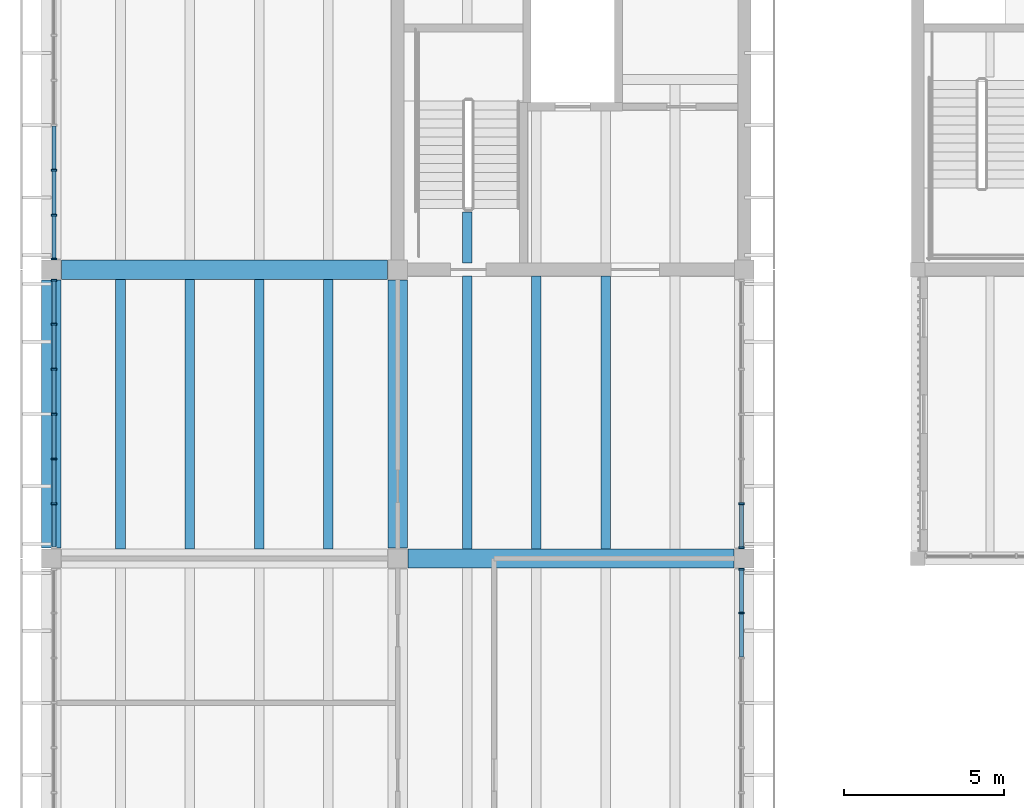
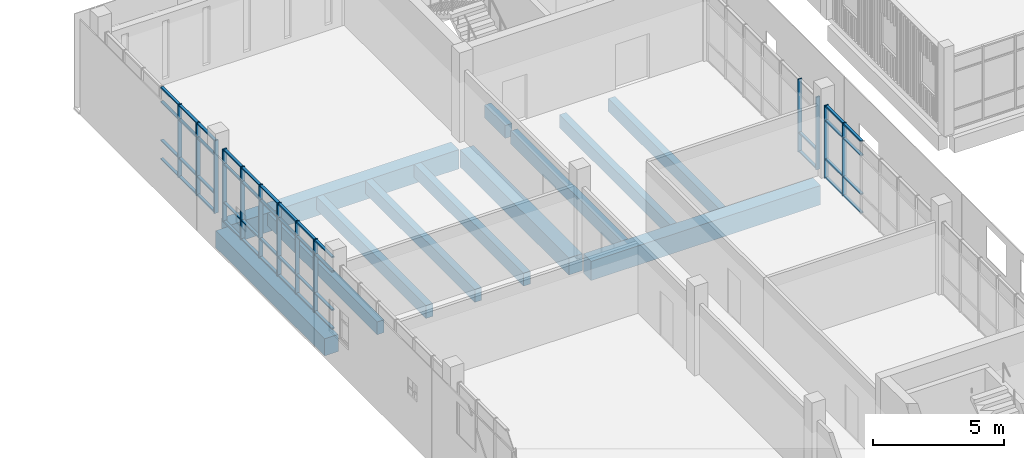
# One storey, part 22 of 88: 59 members, 12 beams, 4 elements without a shape of their own.
"""IFC4 building model written with IfcOpenShell, lengths in metres."""

from ifc_helpers import new_model, si_unit, direction, frame, origin, origin_2d, place, context, subcontext, project, spatial, rectangle, extrude, material, material_profile, profile_set, type_object, element, aggregate, save


model = new_model("IFC4")

# Units and contexts
model_context = context("Model", 3, precision=1e-05, world=origin(), true_north=direction((0.0, 1.0)))
body_context = subcontext(model_context, "Body", "Model", "MODEL_VIEW")
ifc_project = project(units=[si_unit("LENGTHUNIT", "METRE"), si_unit("AREAUNIT", "SQUARE_METRE"), si_unit("VOLUMEUNIT", "CUBIC_METRE"), si_unit("PLANEANGLEUNIT", "RADIAN"), si_unit("MASSUNIT", "GRAM", prefix="KILO")], contexts=[model_context])

# Site, building, storey
site_placement = place(None, origin())
site = spatial("IfcSite", under=ifc_project, at=site_placement, CompositionType="ELEMENT")
building_placement = place(site_placement, origin())
building = spatial("IfcBuilding", under=site, at=building_placement, Name="Merrow Basin Faculty of Sciences", CompositionType="ELEMENT")
storey_placement = place(building_placement, frame((0.0, 0.0, 9.0)))
storey = spatial("IfcBuildingStorey", under=building, at=storey_placement, Name="L02", CompositionType="ELEMENT", Elevation=9.0)

# Curtain wall, members
ifc_material_1 = material(Name="Aluminium alloy 6063", Category="aluminium")
curtain_wall_type = type_object("IfcCurtainWallType", Name="Bar unitised curtain wall 180", PredefinedType="NOTDEFINED", material=ifc_material_1)
curtain_wall_1_placement = place(storey_placement, origin())
curtain_wall_1 = element("IfcCurtainWall", 1, at=curtain_wall_1_placement, inside=storey, type_object=curtain_wall_type, Name="West curtain wall L02 6", PredefinedType="NOTDEFINED")
ifc_material_2 = material(Name="Aluminium alloy 6063", Category="aluminium")
ifc_material_profile_1 = material_profile(ifc_material_2, rectangle(XDim=0.179931640625, YDim=0.06005859375, at=origin_2d()))
ifc_profile_set_1 = profile_set([ifc_material_profile_1], Name="Aluminium alloy 6063")
member_type_1 = type_object("IfcMemberType", Name="Aluminium mullion 60x180", PredefinedType="MULLION", material=ifc_profile_set_1)
member_1_placement = place(storey_placement, frame((0.090087890625, 116.699951171875, 0.0), z_axis=(0.0, 0.0, 1.0), x_axis=(-1.0, 0.0, 0.0)))
member_1 = element("IfcMember", 2, at=member_1_placement, type_object=member_type_1, Name="CW1 mullion 2", PredefinedType="MULLION", context=body_context, shape_type="SweptSolid", body=[
    extrude(rectangle(XDim=0.179931640625, YDim=0.06005859375, at=origin_2d()), origin(), (0.0, 0.0, 1.0), 3.39990234375),
])
member_2_placement = place(storey_placement, frame((0.090087890625, 118.10009765625, 0.0), z_axis=(0.0, 0.0, 1.0), x_axis=(-1.0, 0.0, 0.0)))
member_2 = element("IfcMember", 3, at=member_2_placement, type_object=member_type_1, Name="CW1 mullion 3", PredefinedType="MULLION", context=body_context, shape_type="SweptSolid", body=[
    extrude(rectangle(XDim=0.179931640625, YDim=0.06005859375, at=origin_2d()), origin(), (0.0, 0.0, 1.0), 3.39990234375),
])
member_3_placement = place(storey_placement, frame((0.090087890625, 119.5, 0.0), z_axis=(0.0, 0.0, 1.0), x_axis=(-1.0, 0.0, 0.0)))
member_3 = element("IfcMember", 4, at=member_3_placement, type_object=member_type_1, Name="CW1 mullion 4", PredefinedType="MULLION", context=body_context, shape_type="SweptSolid", body=[
    extrude(rectangle(XDim=0.179931640625, YDim=0.06005859375, at=origin_2d()), origin(), (0.0, 0.0, 1.0), 3.39990234375),
])
member_4_placement = place(storey_placement, frame((0.090087890625, 120.89990234375, 0.0), z_axis=(0.0, 0.0, 1.0), x_axis=(-1.0, 0.0, 0.0)))
member_4 = element("IfcMember", 5, at=member_4_placement, type_object=member_type_1, Name="CW1 mullion 5", PredefinedType="MULLION", context=body_context, shape_type="SweptSolid", body=[
    extrude(rectangle(XDim=0.179931640625, YDim=0.06005859375, at=origin_2d()), origin(), (0.0, 0.0, 1.0), 3.39990234375),
])
member_5_placement = place(storey_placement, frame((0.090087890625, 122.300048828125, 0.0), z_axis=(0.0, 0.0, 1.0), x_axis=(-1.0, 0.0, 0.0)))
member_5 = element("IfcMember", 6, at=member_5_placement, type_object=member_type_1, Name="CW1 mullion 6", PredefinedType="MULLION", context=body_context, shape_type="SweptSolid", body=[
    extrude(rectangle(XDim=0.179931640625, YDim=0.06005859375, at=origin_2d()), origin(), (0.0, 0.0, 1.0), 3.39990234375),
])
member_6_placement = place(storey_placement, frame((0.090087890625, 123.669921875, 0.0), z_axis=(0.0, 0.0, 1.0), x_axis=(-1.0, 0.0, 0.0)))
member_6 = element("IfcMember", 7, at=member_6_placement, type_object=member_type_1, Name="CW1 mullion 7", PredefinedType="MULLION", context=body_context, shape_type="SweptSolid", body=[
    extrude(rectangle(XDim=0.179931640625, YDim=0.06005859375, at=origin_2d()), origin(), (0.0, 0.0, 1.0), 3.39990234375),
])

curtain_wall_2_placement = place(storey_placement, origin())
curtain_wall_2 = element("IfcCurtainWall", 8, at=curtain_wall_2_placement, inside=storey, type_object=curtain_wall_type, Name="West curtain wall L02 7", PredefinedType="NOTDEFINED")
member_7_placement = place(storey_placement, frame((0.090087890625, 124.330078125, 0.0), z_axis=(0.0, 0.0, 1.0), x_axis=(-1.0, 0.0, 0.0)))
member_7 = element("IfcMember", 9, at=member_7_placement, type_object=member_type_1, Name="CW1 mullion 1", PredefinedType="MULLION", context=body_context, shape_type="SweptSolid", body=[
    extrude(rectangle(XDim=0.179931640625, YDim=0.06005859375, at=origin_2d()), origin(), (0.0, 0.0, 1.0), 3.39990234375),
])
member_8_placement = place(storey_placement, frame((0.090087890625, 125.699951171875, 0.0), z_axis=(0.0, 0.0, 1.0), x_axis=(-1.0, 0.0, 0.0)))
member_8 = element("IfcMember", 10, at=member_8_placement, type_object=member_type_1, Name="CW1 mullion 2", PredefinedType="MULLION", context=body_context, shape_type="SweptSolid", body=[
    extrude(rectangle(XDim=0.179931640625, YDim=0.06005859375, at=origin_2d()), origin(), (0.0, 0.0, 1.0), 3.39990234375),
])
member_9_placement = place(storey_placement, frame((0.090087890625, 127.10009765625, 0.0), z_axis=(0.0, 0.0, 1.0), x_axis=(-1.0, 0.0, 0.0)))
member_9 = element("IfcMember", 11, at=member_9_placement, type_object=member_type_1, Name="CW1 mullion 3", PredefinedType="MULLION", context=body_context, shape_type="SweptSolid", body=[
    extrude(rectangle(XDim=0.179931640625, YDim=0.06005859375, at=origin_2d()), origin(), (0.0, 0.0, 1.0), 3.39990234375),
])

curtain_wall_3_placement = place(storey_placement, origin())
curtain_wall_3 = element("IfcCurtainWall", 12, at=curtain_wall_3_placement, inside=storey, type_object=curtain_wall_type, Name="East curtain wall L02 5", PredefinedType="NOTDEFINED")
member_10_placement = place(storey_placement, frame((21.510009765625, 113.300048828125, 0.0), z_axis=(0.0, 0.0, 1.0), x_axis=(-1.0, 0.0, 0.0)))
member_10 = element("IfcMember", 13, at=member_10_placement, type_object=member_type_1, Name="CW1 mullion 6", PredefinedType="MULLION", context=body_context, shape_type="SweptSolid", body=[
    extrude(rectangle(XDim=0.179931640625, YDim=0.06005859375, at=origin_2d()), origin(), (0.0, 0.0, 1.0), 3.39990234375),
])
member_11_placement = place(storey_placement, frame((21.510009765625, 114.669921875, 0.0), z_axis=(0.0, 0.0, 1.0), x_axis=(-1.0, 0.0, 0.0)))
member_11 = element("IfcMember", 14, at=member_11_placement, type_object=member_type_1, Name="CW1 mullion 7", PredefinedType="MULLION", context=body_context, shape_type="SweptSolid", body=[
    extrude(rectangle(XDim=0.179931640625, YDim=0.06005859375, at=origin_2d()), origin(), (0.0, 0.0, 1.0), 3.39990234375),
])

curtain_wall_4_placement = place(storey_placement, origin())
curtain_wall_4 = element("IfcCurtainWall", 15, at=curtain_wall_4_placement, inside=storey, type_object=curtain_wall_type, Name="East curtain wall L02 6", PredefinedType="NOTDEFINED")
member_12_placement = place(storey_placement, frame((21.510009765625, 115.330078125, 0.0), z_axis=(0.0, 0.0, 1.0), x_axis=(-1.0, 0.0, 0.0)))
member_12 = element("IfcMember", 16, at=member_12_placement, type_object=member_type_1, Name="CW1 mullion 1", PredefinedType="MULLION", context=body_context, shape_type="SweptSolid", body=[
    extrude(rectangle(XDim=0.179931640625, YDim=0.06005859375, at=origin_2d()), origin(), (0.0, 0.0, 1.0), 3.39990234375),
])
member_13_placement = place(storey_placement, frame((21.510009765625, 116.699951171875, 0.0), z_axis=(0.0, 0.0, 1.0), x_axis=(-1.0, 0.0, 0.0)))
member_13 = element("IfcMember", 17, at=member_13_placement, type_object=member_type_1, Name="CW1 mullion 2", PredefinedType="MULLION", context=body_context, shape_type="SweptSolid", body=[
    extrude(rectangle(XDim=0.179931640625, YDim=0.06005859375, at=origin_2d()), origin(), (0.0, 0.0, 1.0), 3.39990234375),
])

# Member
ifc_material_3 = material(Name="Aluminium alloy 6063", Category="aluminium")
ifc_material_profile_2 = material_profile(ifc_material_3, rectangle(XDim=0.1201171875, YDim=0.06005859375, at=origin_2d()))
ifc_profile_set_2 = profile_set([ifc_material_profile_2], Name="Aluminium alloy 6063")
member_type_2 = type_object("IfcMemberType", Name="Aluminium transom 60x120", PredefinedType="USERDEFINED", material=ifc_profile_set_2)
member_14_placement = place(storey_placement, frame((0.090087890625, 115.360107421875, 0.030029296875), z_axis=(0.0, 1.0, 0.0), x_axis=(-1.0, 0.0, 0.0)))
member_14 = element("IfcMember", 18, at=member_14_placement, type_object=member_type_2, Name="CW1 transom 1.1", ObjectType="TRANSOM", PredefinedType="USERDEFINED", context=body_context, shape_type="SweptSolid", body=[
    extrude(rectangle(XDim=0.1201171875, YDim=0.06005859375, at=origin_2d()), origin(), (0.0, 0.0, 1.0), 1.309814453125),
])

member_15_placement = place(storey_placement, frame((0.090087890625, 115.360107421875, 0.89990234375), z_axis=(0.0, 1.0, 0.0), x_axis=(-1.0, 0.0, 0.0)))
member_15 = element("IfcMember", 19, at=member_15_placement, type_object=member_type_2, Name="CW1 transom 1.2", ObjectType="TRANSOM", PredefinedType="USERDEFINED", context=body_context, shape_type="SweptSolid", body=[
    extrude(rectangle(XDim=0.1201171875, YDim=0.06005859375, at=origin_2d()), origin(), (0.0, 0.0, 1.0), 1.309814453125),
])

member_16_placement = place(storey_placement, frame((0.090087890625, 115.360107421875, 2.699951171875), z_axis=(0.0, 1.0, 0.0), x_axis=(-1.0, 0.0, 0.0)))
member_16 = element("IfcMember", 20, at=member_16_placement, type_object=member_type_2, Name="CW1 transom 1.3", ObjectType="TRANSOM", PredefinedType="USERDEFINED", context=body_context, shape_type="SweptSolid", body=[
    extrude(rectangle(XDim=0.1201171875, YDim=0.06005859375, at=origin_2d()), origin(), (0.0, 0.0, 1.0), 1.309814453125),
])

member_17_placement = place(storey_placement, frame((0.090087890625, 115.360107421875, 3.3701171875), z_axis=(0.0, 1.0, 0.0), x_axis=(-1.0, 0.0, 0.0)))
member_17 = element("IfcMember", 21, at=member_17_placement, type_object=member_type_2, Name="CW1 transom 1.4", ObjectType="TRANSOM", PredefinedType="USERDEFINED", context=body_context, shape_type="SweptSolid", body=[
    extrude(rectangle(XDim=0.1201171875, YDim=0.06005859375, at=origin_2d()), origin(), (0.0, 0.0, 1.0), 1.309814453125),
])

member_18_placement = place(storey_placement, frame((0.090087890625, 116.72998046875, 0.030029296875), z_axis=(0.0, 1.0, 0.0), x_axis=(-1.0, 0.0, 0.0)))
member_18 = element("IfcMember", 22, at=member_18_placement, type_object=member_type_2, Name="CW1 transom 2.1", ObjectType="TRANSOM", PredefinedType="USERDEFINED", context=body_context, shape_type="SweptSolid", body=[
    extrude(rectangle(XDim=0.1201171875, YDim=0.06005859375, at=origin_2d()), origin(), (0.0, 0.0, 1.0), 1.340087890625),
])

member_19_placement = place(storey_placement, frame((0.090087890625, 116.72998046875, 0.89990234375), z_axis=(0.0, 1.0, 0.0), x_axis=(-1.0, 0.0, 0.0)))
member_19 = element("IfcMember", 23, at=member_19_placement, type_object=member_type_2, Name="CW1 transom 2.2", ObjectType="TRANSOM", PredefinedType="USERDEFINED", context=body_context, shape_type="SweptSolid", body=[
    extrude(rectangle(XDim=0.1201171875, YDim=0.06005859375, at=origin_2d()), origin(), (0.0, 0.0, 1.0), 1.340087890625),
])

member_20_placement = place(storey_placement, frame((0.090087890625, 116.72998046875, 2.699951171875), z_axis=(0.0, 1.0, 0.0), x_axis=(-1.0, 0.0, 0.0)))
member_20 = element("IfcMember", 24, at=member_20_placement, type_object=member_type_2, Name="CW1 transom 2.3", ObjectType="TRANSOM", PredefinedType="USERDEFINED", context=body_context, shape_type="SweptSolid", body=[
    extrude(rectangle(XDim=0.1201171875, YDim=0.06005859375, at=origin_2d()), origin(), (0.0, 0.0, 1.0), 1.340087890625),
])

member_21_placement = place(storey_placement, frame((0.090087890625, 116.72998046875, 3.3701171875), z_axis=(0.0, 1.0, 0.0), x_axis=(-1.0, 0.0, 0.0)))
member_21 = element("IfcMember", 25, at=member_21_placement, type_object=member_type_2, Name="CW1 transom 2.4", ObjectType="TRANSOM", PredefinedType="USERDEFINED", context=body_context, shape_type="SweptSolid", body=[
    extrude(rectangle(XDim=0.1201171875, YDim=0.06005859375, at=origin_2d()), origin(), (0.0, 0.0, 1.0), 1.340087890625),
])

member_22_placement = place(storey_placement, frame((0.090087890625, 118.1298828125, 0.030029296875), z_axis=(0.0, 1.0, 0.0), x_axis=(-1.0, 0.0, 0.0)))
member_22 = element("IfcMember", 26, at=member_22_placement, type_object=member_type_2, Name="CW1 transom 3.1", ObjectType="TRANSOM", PredefinedType="USERDEFINED", context=body_context, shape_type="SweptSolid", body=[
    extrude(rectangle(XDim=0.1201171875, YDim=0.06005859375, at=origin_2d()), origin(), (0.0, 0.0, 1.0), 1.340087890625),
])

member_23_placement = place(storey_placement, frame((0.090087890625, 118.1298828125, 0.89990234375), z_axis=(0.0, 1.0, 0.0), x_axis=(-1.0, 0.0, 0.0)))
member_23 = element("IfcMember", 27, at=member_23_placement, type_object=member_type_2, Name="CW1 transom 3.2", ObjectType="TRANSOM", PredefinedType="USERDEFINED", context=body_context, shape_type="SweptSolid", body=[
    extrude(rectangle(XDim=0.1201171875, YDim=0.06005859375, at=origin_2d()), origin(), (0.0, 0.0, 1.0), 1.340087890625),
])

member_24_placement = place(storey_placement, frame((0.090087890625, 118.1298828125, 2.699951171875), z_axis=(0.0, 1.0, 0.0), x_axis=(-1.0, 0.0, 0.0)))
member_24 = element("IfcMember", 28, at=member_24_placement, type_object=member_type_2, Name="CW1 transom 3.3", ObjectType="TRANSOM", PredefinedType="USERDEFINED", context=body_context, shape_type="SweptSolid", body=[
    extrude(rectangle(XDim=0.1201171875, YDim=0.06005859375, at=origin_2d()), origin(), (0.0, 0.0, 1.0), 1.340087890625),
])

member_25_placement = place(storey_placement, frame((0.090087890625, 118.1298828125, 3.3701171875), z_axis=(0.0, 1.0, 0.0), x_axis=(-1.0, 0.0, 0.0)))
member_25 = element("IfcMember", 29, at=member_25_placement, type_object=member_type_2, Name="CW1 transom 3.4", ObjectType="TRANSOM", PredefinedType="USERDEFINED", context=body_context, shape_type="SweptSolid", body=[
    extrude(rectangle(XDim=0.1201171875, YDim=0.06005859375, at=origin_2d()), origin(), (0.0, 0.0, 1.0), 1.340087890625),
])

member_26_placement = place(storey_placement, frame((0.090087890625, 119.530029296875, 0.030029296875), z_axis=(0.0, 1.0, 0.0), x_axis=(-1.0, 0.0, 0.0)))
member_26 = element("IfcMember", 30, at=member_26_placement, type_object=member_type_2, Name="CW1 transom 4.1", ObjectType="TRANSOM", PredefinedType="USERDEFINED", context=body_context, shape_type="SweptSolid", body=[
    extrude(rectangle(XDim=0.1201171875, YDim=0.06005859375, at=origin_2d()), origin(), (0.0, 0.0, 1.0), 1.340087890625),
])

member_27_placement = place(storey_placement, frame((0.090087890625, 119.530029296875, 0.89990234375), z_axis=(0.0, 1.0, 0.0), x_axis=(-1.0, 0.0, 0.0)))
member_27 = element("IfcMember", 31, at=member_27_placement, type_object=member_type_2, Name="CW1 transom 4.2", ObjectType="TRANSOM", PredefinedType="USERDEFINED", context=body_context, shape_type="SweptSolid", body=[
    extrude(rectangle(XDim=0.1201171875, YDim=0.06005859375, at=origin_2d()), origin(), (0.0, 0.0, 1.0), 1.340087890625),
])

member_28_placement = place(storey_placement, frame((0.090087890625, 119.530029296875, 2.699951171875), z_axis=(0.0, 1.0, 0.0), x_axis=(-1.0, 0.0, 0.0)))
member_28 = element("IfcMember", 32, at=member_28_placement, type_object=member_type_2, Name="CW1 transom 4.3", ObjectType="TRANSOM", PredefinedType="USERDEFINED", context=body_context, shape_type="SweptSolid", body=[
    extrude(rectangle(XDim=0.1201171875, YDim=0.06005859375, at=origin_2d()), origin(), (0.0, 0.0, 1.0), 1.340087890625),
])

member_29_placement = place(storey_placement, frame((0.090087890625, 119.530029296875, 3.3701171875), z_axis=(0.0, 1.0, 0.0), x_axis=(-1.0, 0.0, 0.0)))
member_29 = element("IfcMember", 33, at=member_29_placement, type_object=member_type_2, Name="CW1 transom 4.4", ObjectType="TRANSOM", PredefinedType="USERDEFINED", context=body_context, shape_type="SweptSolid", body=[
    extrude(rectangle(XDim=0.1201171875, YDim=0.06005859375, at=origin_2d()), origin(), (0.0, 0.0, 1.0), 1.340087890625),
])

member_30_placement = place(storey_placement, frame((0.090087890625, 120.929931640625, 0.030029296875), z_axis=(0.0, 1.0, 0.0), x_axis=(-1.0, 0.0, 0.0)))
member_30 = element("IfcMember", 34, at=member_30_placement, type_object=member_type_2, Name="CW1 transom 5.1", ObjectType="TRANSOM", PredefinedType="USERDEFINED", context=body_context, shape_type="SweptSolid", body=[
    extrude(rectangle(XDim=0.1201171875, YDim=0.06005859375, at=origin_2d()), origin(), (0.0, 0.0, 1.0), 1.340087890625),
])

member_31_placement = place(storey_placement, frame((0.090087890625, 120.929931640625, 0.89990234375), z_axis=(0.0, 1.0, 0.0), x_axis=(-1.0, 0.0, 0.0)))
member_31 = element("IfcMember", 35, at=member_31_placement, type_object=member_type_2, Name="CW1 transom 5.2", ObjectType="TRANSOM", PredefinedType="USERDEFINED", context=body_context, shape_type="SweptSolid", body=[
    extrude(rectangle(XDim=0.1201171875, YDim=0.06005859375, at=origin_2d()), origin(), (0.0, 0.0, 1.0), 1.340087890625),
])

member_32_placement = place(storey_placement, frame((0.090087890625, 120.929931640625, 2.699951171875), z_axis=(0.0, 1.0, 0.0), x_axis=(-1.0, 0.0, 0.0)))
member_32 = element("IfcMember", 36, at=member_32_placement, type_object=member_type_2, Name="CW1 transom 5.3", ObjectType="TRANSOM", PredefinedType="USERDEFINED", context=body_context, shape_type="SweptSolid", body=[
    extrude(rectangle(XDim=0.1201171875, YDim=0.06005859375, at=origin_2d()), origin(), (0.0, 0.0, 1.0), 1.340087890625),
])

member_33_placement = place(storey_placement, frame((0.090087890625, 120.929931640625, 3.3701171875), z_axis=(0.0, 1.0, 0.0), x_axis=(-1.0, 0.0, 0.0)))
member_33 = element("IfcMember", 37, at=member_33_placement, type_object=member_type_2, Name="CW1 transom 5.4", ObjectType="TRANSOM", PredefinedType="USERDEFINED", context=body_context, shape_type="SweptSolid", body=[
    extrude(rectangle(XDim=0.1201171875, YDim=0.06005859375, at=origin_2d()), origin(), (0.0, 0.0, 1.0), 1.340087890625),
])

member_34_placement = place(storey_placement, frame((0.090087890625, 122.330078125, 0.030029296875), z_axis=(0.0, 1.0, 0.0), x_axis=(-1.0, 0.0, 0.0)))
member_34 = element("IfcMember", 38, at=member_34_placement, type_object=member_type_2, Name="CW1 transom 6.1", ObjectType="TRANSOM", PredefinedType="USERDEFINED", context=body_context, shape_type="SweptSolid", body=[
    extrude(rectangle(XDim=0.1201171875, YDim=0.06005859375, at=origin_2d()), origin(), (0.0, 0.0, 1.0), 1.309814453125),
])

member_35_placement = place(storey_placement, frame((0.090087890625, 122.330078125, 0.89990234375), z_axis=(0.0, 1.0, 0.0), x_axis=(-1.0, 0.0, 0.0)))
member_35 = element("IfcMember", 39, at=member_35_placement, type_object=member_type_2, Name="CW1 transom 6.2", ObjectType="TRANSOM", PredefinedType="USERDEFINED", context=body_context, shape_type="SweptSolid", body=[
    extrude(rectangle(XDim=0.1201171875, YDim=0.06005859375, at=origin_2d()), origin(), (0.0, 0.0, 1.0), 1.309814453125),
])

member_36_placement = place(storey_placement, frame((0.090087890625, 122.330078125, 2.699951171875), z_axis=(0.0, 1.0, 0.0), x_axis=(-1.0, 0.0, 0.0)))
member_36 = element("IfcMember", 40, at=member_36_placement, type_object=member_type_2, Name="CW1 transom 6.3", ObjectType="TRANSOM", PredefinedType="USERDEFINED", context=body_context, shape_type="SweptSolid", body=[
    extrude(rectangle(XDim=0.1201171875, YDim=0.06005859375, at=origin_2d()), origin(), (0.0, 0.0, 1.0), 1.309814453125),
])

member_37_placement = place(storey_placement, frame((0.090087890625, 122.330078125, 3.3701171875), z_axis=(0.0, 1.0, 0.0), x_axis=(-1.0, 0.0, 0.0)))
member_37 = element("IfcMember", 41, at=member_37_placement, type_object=member_type_2, Name="CW1 transom 6.4", ObjectType="TRANSOM", PredefinedType="USERDEFINED", context=body_context, shape_type="SweptSolid", body=[
    extrude(rectangle(XDim=0.1201171875, YDim=0.06005859375, at=origin_2d()), origin(), (0.0, 0.0, 1.0), 1.309814453125),
])

aggregate(curtain_wall_1, [member_1, member_2, member_3, member_4, member_5, member_6, member_14, member_15, member_16, member_17, member_18, member_19, member_20, member_21, member_22, member_23, member_24, member_25, member_26, member_27, member_28, member_29, member_30, member_31, member_32, member_33, member_34, member_35, member_36, member_37])

member_38_placement = place(storey_placement, frame((0.090087890625, 124.360107421875, 0.030029296875), z_axis=(0.0, 1.0, 0.0), x_axis=(-1.0, 0.0, 0.0)))
member_38 = element("IfcMember", 42, at=member_38_placement, type_object=member_type_2, Name="CW1 transom 1.1", ObjectType="TRANSOM", PredefinedType="USERDEFINED", context=body_context, shape_type="SweptSolid", body=[
    extrude(rectangle(XDim=0.1201171875, YDim=0.06005859375, at=origin_2d()), origin(), (0.0, 0.0, 1.0), 1.309814453125),
])

member_39_placement = place(storey_placement, frame((0.090087890625, 124.360107421875, 0.89990234375), z_axis=(0.0, 1.0, 0.0), x_axis=(-1.0, 0.0, 0.0)))
member_39 = element("IfcMember", 43, at=member_39_placement, type_object=member_type_2, Name="CW1 transom 1.2", ObjectType="TRANSOM", PredefinedType="USERDEFINED", context=body_context, shape_type="SweptSolid", body=[
    extrude(rectangle(XDim=0.1201171875, YDim=0.06005859375, at=origin_2d()), origin(), (0.0, 0.0, 1.0), 1.309814453125),
])

member_40_placement = place(storey_placement, frame((0.090087890625, 124.360107421875, 2.699951171875), z_axis=(0.0, 1.0, 0.0), x_axis=(-1.0, 0.0, 0.0)))
member_40 = element("IfcMember", 44, at=member_40_placement, type_object=member_type_2, Name="CW1 transom 1.3", ObjectType="TRANSOM", PredefinedType="USERDEFINED", context=body_context, shape_type="SweptSolid", body=[
    extrude(rectangle(XDim=0.1201171875, YDim=0.06005859375, at=origin_2d()), origin(), (0.0, 0.0, 1.0), 1.309814453125),
])

member_41_placement = place(storey_placement, frame((0.090087890625, 124.360107421875, 3.3701171875), z_axis=(0.0, 1.0, 0.0), x_axis=(-1.0, 0.0, 0.0)))
member_41 = element("IfcMember", 45, at=member_41_placement, type_object=member_type_2, Name="CW1 transom 1.4", ObjectType="TRANSOM", PredefinedType="USERDEFINED", context=body_context, shape_type="SweptSolid", body=[
    extrude(rectangle(XDim=0.1201171875, YDim=0.06005859375, at=origin_2d()), origin(), (0.0, 0.0, 1.0), 1.309814453125),
])

member_42_placement = place(storey_placement, frame((0.090087890625, 125.72998046875, 0.030029296875), z_axis=(0.0, 1.0, 0.0), x_axis=(-1.0, 0.0, 0.0)))
member_42 = element("IfcMember", 46, at=member_42_placement, type_object=member_type_2, Name="CW1 transom 2.1", ObjectType="TRANSOM", PredefinedType="USERDEFINED", context=body_context, shape_type="SweptSolid", body=[
    extrude(rectangle(XDim=0.1201171875, YDim=0.06005859375, at=origin_2d()), origin(), (0.0, 0.0, 1.0), 1.340087890625),
])

member_43_placement = place(storey_placement, frame((0.090087890625, 125.72998046875, 0.89990234375), z_axis=(0.0, 1.0, 0.0), x_axis=(-1.0, 0.0, 0.0)))
member_43 = element("IfcMember", 47, at=member_43_placement, type_object=member_type_2, Name="CW1 transom 2.2", ObjectType="TRANSOM", PredefinedType="USERDEFINED", context=body_context, shape_type="SweptSolid", body=[
    extrude(rectangle(XDim=0.1201171875, YDim=0.06005859375, at=origin_2d()), origin(), (0.0, 0.0, 1.0), 1.340087890625),
])

member_44_placement = place(storey_placement, frame((0.090087890625, 125.72998046875, 2.699951171875), z_axis=(0.0, 1.0, 0.0), x_axis=(-1.0, 0.0, 0.0)))
member_44 = element("IfcMember", 48, at=member_44_placement, type_object=member_type_2, Name="CW1 transom 2.3", ObjectType="TRANSOM", PredefinedType="USERDEFINED", context=body_context, shape_type="SweptSolid", body=[
    extrude(rectangle(XDim=0.1201171875, YDim=0.06005859375, at=origin_2d()), origin(), (0.0, 0.0, 1.0), 1.340087890625),
])

member_45_placement = place(storey_placement, frame((0.090087890625, 125.72998046875, 3.3701171875), z_axis=(0.0, 1.0, 0.0), x_axis=(-1.0, 0.0, 0.0)))
member_45 = element("IfcMember", 49, at=member_45_placement, type_object=member_type_2, Name="CW1 transom 2.4", ObjectType="TRANSOM", PredefinedType="USERDEFINED", context=body_context, shape_type="SweptSolid", body=[
    extrude(rectangle(XDim=0.1201171875, YDim=0.06005859375, at=origin_2d()), origin(), (0.0, 0.0, 1.0), 1.340087890625),
])

member_46_placement = place(storey_placement, frame((0.090087890625, 127.1298828125, 0.030029296875), z_axis=(0.0, 1.0, 0.0), x_axis=(-1.0, 0.0, 0.0)))
member_46 = element("IfcMember", 50, at=member_46_placement, type_object=member_type_2, Name="CW1 transom 3.1", ObjectType="TRANSOM", PredefinedType="USERDEFINED", context=body_context, shape_type="SweptSolid", body=[
    extrude(rectangle(XDim=0.1201171875, YDim=0.06005859375, at=origin_2d()), origin(), (0.0, 0.0, 1.0), 1.340087890625),
])

member_47_placement = place(storey_placement, frame((0.090087890625, 127.1298828125, 0.89990234375), z_axis=(0.0, 1.0, 0.0), x_axis=(-1.0, 0.0, 0.0)))
member_47 = element("IfcMember", 51, at=member_47_placement, type_object=member_type_2, Name="CW1 transom 3.2", ObjectType="TRANSOM", PredefinedType="USERDEFINED", context=body_context, shape_type="SweptSolid", body=[
    extrude(rectangle(XDim=0.1201171875, YDim=0.06005859375, at=origin_2d()), origin(), (0.0, 0.0, 1.0), 1.340087890625),
])

member_48_placement = place(storey_placement, frame((0.090087890625, 127.1298828125, 2.699951171875), z_axis=(0.0, 1.0, 0.0), x_axis=(-1.0, 0.0, 0.0)))
member_48 = element("IfcMember", 52, at=member_48_placement, type_object=member_type_2, Name="CW1 transom 3.3", ObjectType="TRANSOM", PredefinedType="USERDEFINED", context=body_context, shape_type="SweptSolid", body=[
    extrude(rectangle(XDim=0.1201171875, YDim=0.06005859375, at=origin_2d()), origin(), (0.0, 0.0, 1.0), 1.340087890625),
])

member_49_placement = place(storey_placement, frame((0.090087890625, 127.1298828125, 3.3701171875), z_axis=(0.0, 1.0, 0.0), x_axis=(-1.0, 0.0, 0.0)))
member_49 = element("IfcMember", 53, at=member_49_placement, type_object=member_type_2, Name="CW1 transom 3.4", ObjectType="TRANSOM", PredefinedType="USERDEFINED", context=body_context, shape_type="SweptSolid", body=[
    extrude(rectangle(XDim=0.1201171875, YDim=0.06005859375, at=origin_2d()), origin(), (0.0, 0.0, 1.0), 1.340087890625),
])

aggregate(curtain_wall_2, [member_7, member_8, member_9, member_38, member_39, member_40, member_41, member_42, member_43, member_44, member_45, member_46, member_47, member_48, member_49])

member_50_placement = place(storey_placement, frame((21.510009765625, 111.929931640625, 0.030029296875), z_axis=(0.0, 1.0, 0.0), x_axis=(-1.0, 0.0, 0.0)))
member_50 = element("IfcMember", 54, at=member_50_placement, type_object=member_type_2, Name="CW1 transom 5.1", ObjectType="TRANSOM", PredefinedType="USERDEFINED", context=body_context, shape_type="SweptSolid", body=[
    extrude(rectangle(XDim=0.1201171875, YDim=0.06005859375, at=origin_2d()), origin(), (0.0, 0.0, 1.0), 1.340087890625),
])

member_51_placement = place(storey_placement, frame((21.510009765625, 111.929931640625, 0.89990234375), z_axis=(0.0, 1.0, 0.0), x_axis=(-1.0, 0.0, 0.0)))
member_51 = element("IfcMember", 55, at=member_51_placement, type_object=member_type_2, Name="CW1 transom 5.2", ObjectType="TRANSOM", PredefinedType="USERDEFINED", context=body_context, shape_type="SweptSolid", body=[
    extrude(rectangle(XDim=0.1201171875, YDim=0.06005859375, at=origin_2d()), origin(), (0.0, 0.0, 1.0), 1.340087890625),
])

member_52_placement = place(storey_placement, frame((21.510009765625, 111.929931640625, 2.699951171875), z_axis=(0.0, 1.0, 0.0), x_axis=(-1.0, 0.0, 0.0)))
member_52 = element("IfcMember", 56, at=member_52_placement, type_object=member_type_2, Name="CW1 transom 5.3", ObjectType="TRANSOM", PredefinedType="USERDEFINED", context=body_context, shape_type="SweptSolid", body=[
    extrude(rectangle(XDim=0.1201171875, YDim=0.06005859375, at=origin_2d()), origin(), (0.0, 0.0, 1.0), 1.340087890625),
])

member_53_placement = place(storey_placement, frame((21.510009765625, 111.929931640625, 3.3701171875), z_axis=(0.0, 1.0, 0.0), x_axis=(-1.0, 0.0, 0.0)))
member_53 = element("IfcMember", 57, at=member_53_placement, type_object=member_type_2, Name="CW1 transom 5.4", ObjectType="TRANSOM", PredefinedType="USERDEFINED", context=body_context, shape_type="SweptSolid", body=[
    extrude(rectangle(XDim=0.1201171875, YDim=0.06005859375, at=origin_2d()), origin(), (0.0, 0.0, 1.0), 1.340087890625),
])

member_54_placement = place(storey_placement, frame((21.510009765625, 113.330078125, 0.030029296875), z_axis=(0.0, 1.0, 0.0), x_axis=(-1.0, 0.0, 0.0)))
member_54 = element("IfcMember", 58, at=member_54_placement, type_object=member_type_2, Name="CW1 transom 6.1", ObjectType="TRANSOM", PredefinedType="USERDEFINED", context=body_context, shape_type="SweptSolid", body=[
    extrude(rectangle(XDim=0.1201171875, YDim=0.06005859375, at=origin_2d()), origin(), (0.0, 0.0, 1.0), 1.309814453125),
])

member_55_placement = place(storey_placement, frame((21.510009765625, 113.330078125, 0.89990234375), z_axis=(0.0, 1.0, 0.0), x_axis=(-1.0, 0.0, 0.0)))
member_55 = element("IfcMember", 59, at=member_55_placement, type_object=member_type_2, Name="CW1 transom 6.2", ObjectType="TRANSOM", PredefinedType="USERDEFINED", context=body_context, shape_type="SweptSolid", body=[
    extrude(rectangle(XDim=0.1201171875, YDim=0.06005859375, at=origin_2d()), origin(), (0.0, 0.0, 1.0), 1.309814453125),
])

member_56_placement = place(storey_placement, frame((21.510009765625, 113.330078125, 2.699951171875), z_axis=(0.0, 1.0, 0.0), x_axis=(-1.0, 0.0, 0.0)))
member_56 = element("IfcMember", 60, at=member_56_placement, type_object=member_type_2, Name="CW1 transom 6.3", ObjectType="TRANSOM", PredefinedType="USERDEFINED", context=body_context, shape_type="SweptSolid", body=[
    extrude(rectangle(XDim=0.1201171875, YDim=0.06005859375, at=origin_2d()), origin(), (0.0, 0.0, 1.0), 1.309814453125),
])

member_57_placement = place(storey_placement, frame((21.510009765625, 113.330078125, 3.3701171875), z_axis=(0.0, 1.0, 0.0), x_axis=(-1.0, 0.0, 0.0)))
member_57 = element("IfcMember", 61, at=member_57_placement, type_object=member_type_2, Name="CW1 transom 6.4", ObjectType="TRANSOM", PredefinedType="USERDEFINED", context=body_context, shape_type="SweptSolid", body=[
    extrude(rectangle(XDim=0.1201171875, YDim=0.06005859375, at=origin_2d()), origin(), (0.0, 0.0, 1.0), 1.309814453125),
])

aggregate(curtain_wall_3, [member_10, member_11, member_50, member_51, member_52, member_53, member_54, member_55, member_56, member_57])

member_58_placement = place(storey_placement, frame((21.510009765625, 115.360107421875, 0.030029296875), z_axis=(0.0, 1.0, 0.0), x_axis=(-1.0, 0.0, 0.0)))
member_58 = element("IfcMember", 62, at=member_58_placement, type_object=member_type_2, Name="CW1 transom 1.1", ObjectType="TRANSOM", PredefinedType="USERDEFINED", context=body_context, shape_type="SweptSolid", body=[
    extrude(rectangle(XDim=0.1201171875, YDim=0.06005859375, at=origin_2d()), origin(), (0.0, 0.0, 1.0), 1.309814453125),
])

member_59_placement = place(storey_placement, frame((21.510009765625, 115.360107421875, 0.89990234375), z_axis=(0.0, 1.0, 0.0), x_axis=(-1.0, 0.0, 0.0)))
member_59 = element("IfcMember", 63, at=member_59_placement, type_object=member_type_2, Name="CW1 transom 1.2", ObjectType="TRANSOM", PredefinedType="USERDEFINED", context=body_context, shape_type="SweptSolid", body=[
    extrude(rectangle(XDim=0.1201171875, YDim=0.06005859375, at=origin_2d()), origin(), (0.0, 0.0, 1.0), 1.309814453125),
])

aggregate(curtain_wall_4, [member_12, member_13, member_58, member_59])

# Beams
ifc_material_4 = material(Name="Concrete C40/50", Category="concrete")
ifc_material_profile_3 = material_profile(ifc_material_4, rectangle(XDim=0.60009765625, YDim=0.800048828125, at=origin_2d()))
ifc_profile_set_3 = profile_set([ifc_material_profile_3], Name="Concrete C40/50")
beam_type_1 = type_object("IfcBeamType", Name="Beam RC600x800 C40/50", PredefinedType="BEAM", material=ifc_profile_set_3)
for number, where, z_axis, x_axis, name in (
    (64, (0.0, 115.324951171875, -0.699951171875), (0.0, 1.0, 0.0), (-1.0, 0.0, 0.0), "B2 L02 020"),
    (65, (10.800048828125, 115.324951171875, -0.699951171875), (0.0, 1.0, 0.0), (-1.0, 0.0, 0.0), "B2 L02 027"),
):
    element("IfcBeam", number, at=place(storey_placement, frame(where, z_axis=z_axis, x_axis=x_axis)), inside=storey, type_object=beam_type_1, Name=name, PredefinedType="BEAM", context=body_context, shape_type="SweptSolid", body=[
        extrude(rectangle(XDim=0.60009765625, YDim=0.800048828125, at=origin_2d()), origin(), (0.0, 0.0, 1.0), 8.35009765625),
    ])
ifc_material_5 = material(Name="Concrete C40/50", Category="concrete")
ifc_material_profile_4 = material_profile(ifc_material_5, rectangle(XDim=0.60009765625, YDim=0.89990234375, at=origin_2d()))
ifc_profile_set_4 = profile_set([ifc_material_profile_4], Name="Concrete C40/50")
beam_type_2 = type_object("IfcBeamType", Name="Beam RC600x900 C40/50", PredefinedType="BEAM", material=ifc_profile_set_4)
beam_1_placement = place(storey_placement, frame((11.125, 115.0, -0.75), z_axis=(1.0, 0.0, 0.0), x_axis=(0.0, 1.0, 0.0)))
element("IfcBeam", 66, at=beam_1_placement, inside=storey, type_object=beam_type_2, Name="B1 L02 012", PredefinedType="BEAM", context=body_context, shape_type="SweptSolid", body=[
    extrude(rectangle(XDim=0.60009765625, YDim=0.89990234375, at=origin_2d()), origin(), (0.0, 0.0, 1.0), 10.14990234375),
])
beam_2_placement = place(storey_placement, frame((0.324951171875, 124.0, -0.75), z_axis=(1.0, 0.0, 0.0), x_axis=(0.0, 1.0, 0.0)))
element("IfcBeam", 67, at=beam_2_placement, inside=storey, type_object=beam_type_2, Name="B1 L02 013", PredefinedType="BEAM", context=body_context, shape_type="SweptSolid", body=[
    extrude(rectangle(XDim=0.60009765625, YDim=0.89990234375, at=origin_2d()), origin(), (0.0, 0.0, 1.0), 10.150146484375),
])
ifc_material_6 = material(Name="Concrete C40/50", Category="concrete")
ifc_material_profile_5 = material_profile(ifc_material_6, rectangle(XDim=0.300048828125, YDim=0.60009765625, at=origin_2d()))
ifc_profile_set_5 = profile_set([ifc_material_profile_5], Name="Concrete C40/50")
beam_type_3 = type_object("IfcBeamType", Name="Laboratory floor joist RC300x600 C40/50", PredefinedType="BEAM", material=ifc_profile_set_5)
for number, where, z_axis, x_axis, name in (
    (68, (2.159912109375, 115.300048828125, -0.60009765625), (0.0, 1.0, 0.0), (-1.0, 0.0, 0.0), "JL1 L02 059"),
    (69, (4.320068359375, 115.300048828125, -0.60009765625), (0.0, 1.0, 0.0), (-1.0, 0.0, 0.0), "JL1 L02 060"),
    (70, (6.47998046875, 115.300048828125, -0.60009765625), (0.0, 1.0, 0.0), (-1.0, 0.0, 0.0), "JL1 L02 061"),
    (71, (8.639892578125, 115.300048828125, -0.60009765625), (0.0, 1.0, 0.0), (-1.0, 0.0, 0.0), "JL1 L02 062"),
):
    element("IfcBeam", number, at=place(storey_placement, frame(where, z_axis=z_axis, x_axis=x_axis)), inside=storey, type_object=beam_type_3, Name=name, PredefinedType="BEAM", context=body_context, shape_type="SweptSolid", body=[
        extrude(rectangle(XDim=0.300048828125, YDim=0.60009765625, at=origin_2d()), origin(), (0.0, 0.0, 1.0), 8.39990234375),
    ])
for number, where, z_axis, x_axis, name in (
    (72, (12.9599609375, 115.300048828125, -0.60009765625), (0.0, 1.0, 0.0), (-1.0, 0.0, 0.0), "JL1 L02 093"),
    (73, (15.1201171875, 115.300048828125, -0.60009765625), (0.0, 1.0, 0.0), (-1.0, 0.0, 0.0), "JL1 L02 094"),
    (74, (17.280029296875, 115.300048828125, -0.60009765625), (0.0, 1.0, 0.0), (-1.0, 0.0, 0.0), "JL1 L02 095"),
):
    element("IfcBeam", number, at=place(storey_placement, frame(where, z_axis=z_axis, x_axis=x_axis)), inside=storey, type_object=beam_type_3, Name=name, PredefinedType="BEAM", context=body_context, shape_type="SweptSolid", body=[
        extrude(rectangle(XDim=0.300048828125, YDim=0.60009765625, at=origin_2d()), origin(), (0.0, 0.0, 1.0), 8.5),
    ])
beam_3_placement = place(storey_placement, frame((12.9599609375, 124.199951171875, -0.60009765625), z_axis=(0.0, 1.0, 0.0), x_axis=(-1.0, 0.0, 0.0)))
element("IfcBeam", 75, at=beam_3_placement, inside=storey, type_object=beam_type_3, Name="JL1 L02 097", PredefinedType="BEAM", context=body_context, shape_type="SweptSolid", body=[
    extrude(rectangle(XDim=0.300048828125, YDim=0.60009765625, at=origin_2d()), origin(), (0.0, 0.0, 1.0), 1.60009765625),
])

save(model, "model.ifc")
